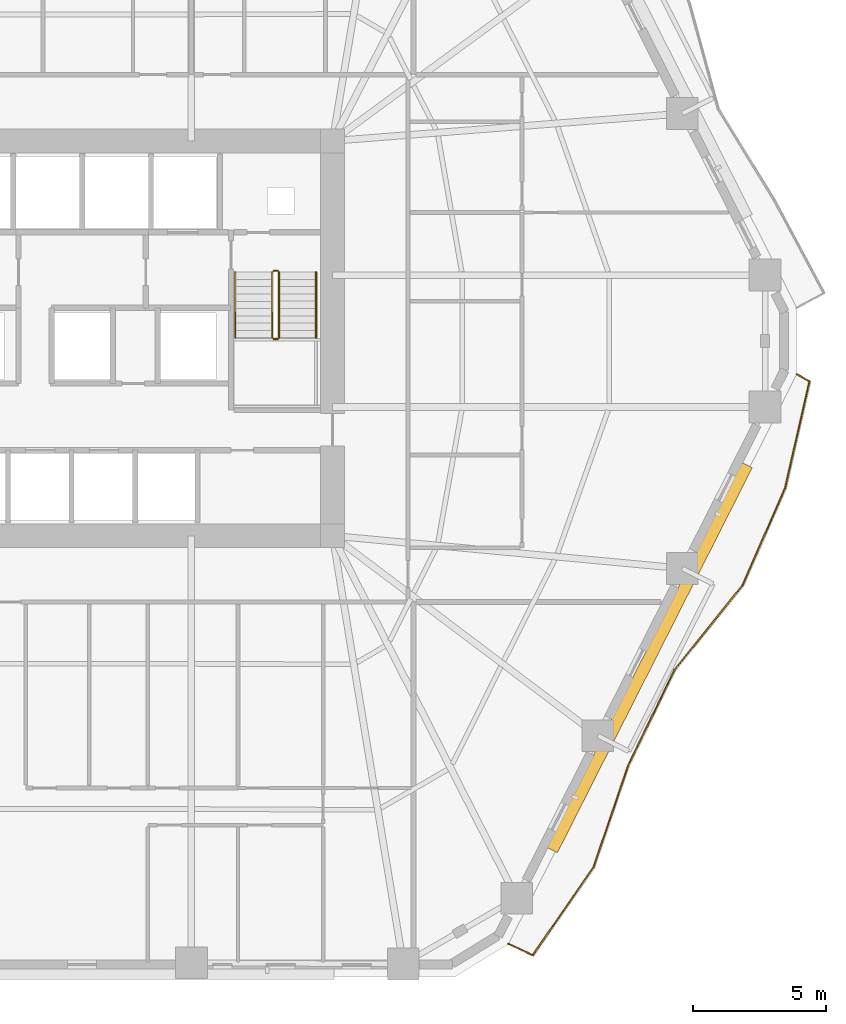
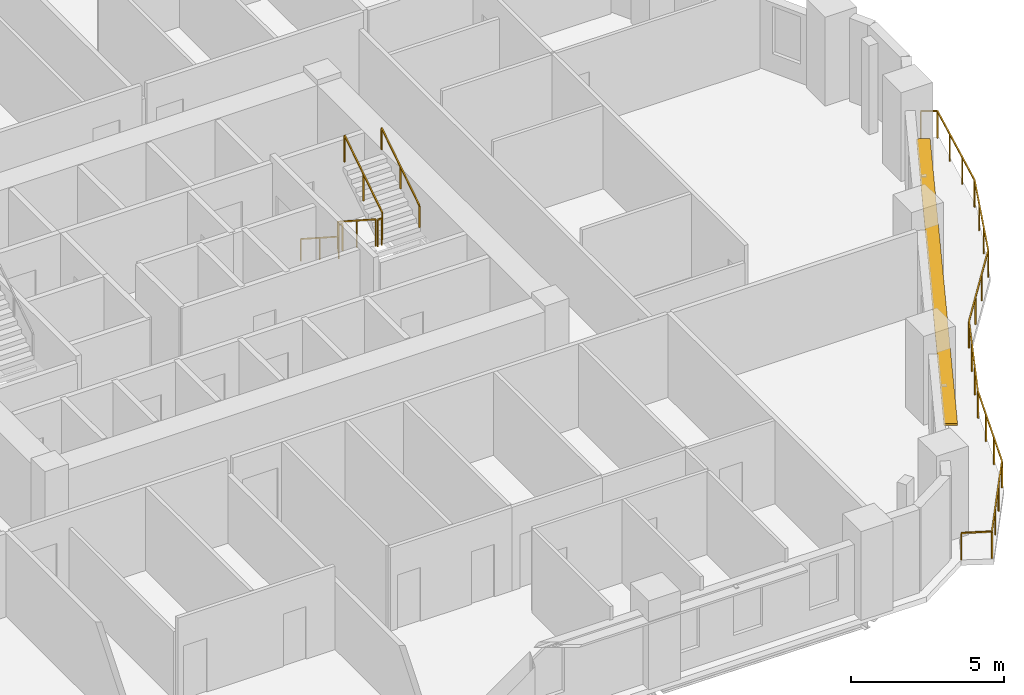
# One storey, part 13 of 14: 7 railings, 1 shading device.
"""IFC4 building model written with IfcOpenShell, lengths in metres."""

import ifcopenshell
import ifcopenshell.guid

model = None  # the IFC model being written
_history = None  # IfcOwnerHistory: only IFC2X3 demands one
_inside = {}  # id of a spatial element -> (the spatial element, [elements in it])
_under = {}  # id of a project, library or spatial element -> (it, [spatial elements below it])
_declared = {}  # id of a project -> (the project, [libraries it declares])
_typed = {}  # id of a type object -> (the type object, [elements of that type])
_made_of = {}  # id of a material, layer set ... -> (it, [elements and type objects made of it])


def new_model(schema):
    """Start an empty IFC model of exactly this schema.

    Asked for "IFC4X3", IfcOpenShell would pick the latest addendum, in which some entities
    have other attributes; the version numbers below select the first issue.
    IFC2X3 requires an IfcOwnerHistory on every rooted entity: one is made here for all.
    """
    global model, _history
    if schema == "IFC4X3":
        model = ifcopenshell.file(schema_version=(4, 3, 0, 0))
    else:
        model = ifcopenshell.file(schema=schema)
    _inside.clear()
    _under.clear()
    _declared.clear()
    _typed.clear()
    _made_of.clear()
    _history = None
    if model.schema == "IFC2X3":
        org = make("IfcOrganization", Name="unknown")
        user = make(
            "IfcPersonAndOrganization",
            ThePerson=make("IfcPerson", FamilyName="unknown"),
            TheOrganization=org,
        )
        app = make(
            "IfcApplication",
            ApplicationDeveloper=org,
            Version="unknown",
            ApplicationFullName="unknown",
            ApplicationIdentifier="unknown",
        )
        _history = make(
            "IfcOwnerHistory",
            OwningUser=user,
            OwningApplication=app,
            ChangeAction="ADDED",
            CreationDate=0,
        )
    return model


def make(cls, **values):
    """One entity of the class cls with the attributes given. An attribute that is None is left unset."""
    return model.create_entity(
        cls, **{name: value for name, value in values.items() if value is not None}
    )


def rooted(cls, **values):
    """An entity with a GlobalId (a new one), such as an element, a storey or a relation."""
    return make(cls, GlobalId=ifcopenshell.guid.new(), OwnerHistory=_history, **values)


def si_unit(unit_type, name, prefix=None):
    """IfcSIUnit, for example si_unit("LENGTHUNIT", "METRE", prefix="MILLI")."""
    return make("IfcSIUnit", UnitType=unit_type, Prefix=prefix, Name=name)


def assignment(units):
    """IfcUnitAssignment: the units of a project."""
    return None if units is None else make("IfcUnitAssignment", Units=units)


def point(xyz):
    """IfcCartesianPoint."""
    return None if xyz is None else make("IfcCartesianPoint", Coordinates=xyz)


def direction(xyz):
    """IfcDirection."""
    return None if xyz is None else make("IfcDirection", DirectionRatios=xyz)


def frame(location, z_axis=None, x_axis=None):
    """IfcAxis2Placement3D, a coordinate frame: its origin and axes. An axis left out is left unset."""
    return make(
        "IfcAxis2Placement3D",
        Location=point(location),
        Axis=direction(z_axis),
        RefDirection=direction(x_axis),
    )


def frame_2d(location, x_axis=None):
    """IfcAxis2Placement2D, a coordinate frame in the plane: its origin and x axis."""
    return make(
        "IfcAxis2Placement2D", Location=point(location), RefDirection=direction(x_axis)
    )


def origin():
    """The frame at (0, 0, 0) with its axes left unset."""
    return frame((0.0, 0.0, 0.0))


def origin_2d():
    """The frame at (0, 0) in the plane with its x axis left unset."""
    return frame_2d((0.0, 0.0))


def place(relative_to, where):
    """IfcLocalPlacement: puts the frame where relative to a parent placement (None: the world)."""
    return make(
        "IfcLocalPlacement", PlacementRelTo=relative_to, RelativePlacement=where
    )


def context(
    kind, dimensions, precision=None, world=None, true_north=None, identifier=None
):
    """IfcGeometricRepresentationContext, for example the 3D "Model" context."""
    return make(
        "IfcGeometricRepresentationContext",
        ContextIdentifier=identifier,
        ContextType=kind,
        CoordinateSpaceDimension=dimensions,
        Precision=precision,
        WorldCoordinateSystem=world,
        TrueNorth=true_north,
    )


def subcontext(parent, identifier, kind, view, scale=None):
    """IfcGeometricRepresentationSubContext, for example "Body" below "Model"."""
    return make(
        "IfcGeometricRepresentationSubContext",
        ContextIdentifier=identifier,
        ContextType=kind,
        ParentContext=parent,
        TargetScale=scale,
        TargetView=view,
    )


def project(units=None, contexts=None):
    """IfcProject with its units and contexts."""
    return rooted(
        "IfcProject",
        Name="project",
        RepresentationContexts=contexts,
        UnitsInContext=assignment(units),
    )


def spatial(cls, under=None, at=None, **own):
    """A site, building, storey or space (cls), placed at a placement, below another one or the project."""
    s = rooted(cls, ObjectPlacement=at, **own)
    if under is not None:
        _under.setdefault(under.id(), (under, []))[1].append(s)
    return s


def profile(cls, at=None, kind="AREA", **sizes):
    """A parametric profile (cls). Its sizes go by their IFC names, for example OverallWidth=200.0."""
    return make(cls, ProfileType=kind, Position=at, **sizes)


def rectangle(**sizes):
    """IfcRectangleProfileDef."""
    return profile("IfcRectangleProfileDef", **sizes)


def extrude(swept, where, along, depth):
    """IfcExtrudedAreaSolid: the profile swept, set in the frame where, extruded along a direction by depth."""
    return make(
        "IfcExtrudedAreaSolid",
        SweptArea=swept,
        Position=where,
        ExtrudedDirection=direction(along),
        Depth=depth,
    )


def shape(context_of_items, identifier, shape_type, items):
    """IfcShapeRepresentation: the items that make up one representation, for example the "Body"."""
    return make(
        "IfcShapeRepresentation",
        ContextOfItems=context_of_items,
        RepresentationIdentifier=identifier,
        RepresentationType=shape_type,
        Items=items,
    )


def material(Name=None, Category=None):
    """IfcMaterial."""
    return make("IfcMaterial", Name=Name, Category=Category)


def layer(
    of_material, thickness, ventilated=None, Name=None, Category=None, Priority=None
):
    """IfcMaterialLayer: one layer of a wall or slab, of a material (None: an air gap)."""
    return make(
        "IfcMaterialLayer",
        Material=of_material,
        LayerThickness=thickness,
        IsVentilated=ventilated,
        Name=Name,
        Category=Category,
        Priority=Priority,
    )


def layer_set(layers, Name=None):
    """IfcMaterialLayerSet."""
    return make("IfcMaterialLayerSet", MaterialLayers=layers, LayerSetName=Name)


def made_of(thing, what):
    """Note that an element or type object is made of a material, layer set ...; save() writes the relation."""
    if what is not None:
        _made_of.setdefault(what.id(), (what, []))[1].append(thing)
    return thing


def type_object(cls, material=None, **own):
    """A type object (cls), such as IfcWallType, which elements share."""
    return made_of(rooted(cls, **own), material)


def element(
    cls,
    number,
    at=None,
    inside=None,
    cuts=None,
    type_object=None,
    material=None,
    context=None,
    identifier="Body",
    shape_type=None,
    held_by="IfcProductDefinitionShape",
    body=None,
    shapes=None,
    **own,
):
    """One element of the class cls, such as IfcWall. Its Tag is "e" and its number.

    at: its placement. inside: the storey or other place that contains it. cuts: it is an
    opening in that element (IfcRelVoidsElement). A single representation is given by context,
    identifier, shape_type and body (its items); several are given by shapes. held_by: the class
    of the entity that holds the representations. save() writes the other relations.
    """
    e = rooted(cls, Tag="e%d" % number, ObjectPlacement=at, **own)
    if body is not None:
        shapes = [shape(context, identifier, shape_type, body)]
    if shapes is not None:
        e.Representation = make(held_by, Representations=shapes)
    if inside is not None:
        _inside.setdefault(inside.id(), (inside, []))[1].append(e)
    if cuts is not None:
        rooted(
            "IfcRelVoidsElement", RelatingBuildingElement=cuts, RelatedOpeningElement=e
        )
    if type_object is not None:
        _typed.setdefault(type_object.id(), (type_object, []))[1].append(e)
    return made_of(e, material)


def aggregate(whole, parts):
    """IfcRelAggregates: a whole, such as a stair, and the parts it consists of."""
    return rooted("IfcRelAggregates", RelatingObject=whole, RelatedObjects=parts)


def save(model, path):
    """Write the relations noted so far, then the file.

    IfcRelAggregates (storeys below a building ...), IfcRelContainedInSpatialStructure (elements
    in a storey), IfcRelDefinesByType, IfcRelAssociatesMaterial and IfcRelDeclares: one each for
    every whole, place, type object, material and project.
    """
    for whole, parts in _under.values():
        aggregate(whole, parts)
    for where, things in _inside.values():
        rooted(
            "IfcRelContainedInSpatialStructure",
            RelatedElements=things,
            RelatingStructure=where,
        )
    for kind, things in _typed.values():
        rooted("IfcRelDefinesByType", RelatedObjects=things, RelatingType=kind)
    for what, things in _made_of.values():
        rooted("IfcRelAssociatesMaterial", RelatedObjects=things, RelatingMaterial=what)
    for by, libraries in _declared.values():
        rooted("IfcRelDeclares", RelatingContext=by, RelatedDefinitions=libraries)
    model.write(path)


model = new_model("IFC4")

# Units and contexts
model_context = context("Model", 3, precision=1e-05, world=origin(), true_north=direction((0.0, 1.0)))
body_context = subcontext(model_context, "Body", "Model", "MODEL_VIEW")
ifc_project = project(units=[si_unit("LENGTHUNIT", "METRE"), si_unit("AREAUNIT", "SQUARE_METRE"), si_unit("VOLUMEUNIT", "CUBIC_METRE"), si_unit("PLANEANGLEUNIT", "RADIAN"), si_unit("MASSUNIT", "GRAM", prefix="KILO")], contexts=[model_context])

# Site, building, storey
site_placement = place(None, origin())
site = spatial("IfcSite", under=ifc_project, at=site_placement, CompositionType="ELEMENT")
building_placement = place(site_placement, origin())
building = spatial("IfcBuilding", under=site, at=building_placement, Name="Cinnabar Lancet Tower", CompositionType="ELEMENT")
storey_placement = place(building_placement, frame((0.0, 0.0, 35.550048828125)))
storey = spatial("IfcBuildingStorey", under=building, at=storey_placement, Name="L08", CompositionType="ELEMENT", Elevation=35.550048828125)

# Railing
ifc_material_1 = material(Name="Laminated safety glass and bronze stainless steel balustrade", Category="steel")
railing_type_1 = type_object("IfcRailingType", Name="ENV-RLG-BAL-1100", PredefinedType="BALUSTRADE", material=ifc_material_1)
railing_1_placement = place(storey_placement, frame((48.488037109375, 3.049072265625, 0.0)))
element("IfcRailing", 1, at=railing_1_placement, inside=storey, type_object=railing_type_1, Name="L08 Face 2 Wave Balcony Balustrade", PredefinedType="BALUSTRADE", context=body_context, shape_type="SweptSolid", body=[
    extrude(rectangle(XDim=0.048095703125, YDim=0.048095703125, at=origin_2d()), frame((0.0, 0.0, 1.076171875), z_axis=(0.905799045948, -0.423707550511, 0.0), x_axis=(0.423707550511, 0.905799045948, 0.0)), (0.0, 0.0, 1.0), 1.0078125),
    extrude(rectangle(XDim=0.048095703125, YDim=0.048095703125, at=origin_2d()), frame((0.912841796875, -0.427001953125, 1.076171875), z_axis=(0.568399927517, 0.822752406498, 0.0), x_axis=(-0.822752406498, 0.568399927517, 0.0)), (0.0, 0.0, 1.0), 4.044921875),
    extrude(rectangle(XDim=0.048095703125, YDim=0.048095703125, at=origin_2d()), frame((3.2119140625, 2.90087890625, 1.076171875), z_axis=(0.322212035134, 0.946667525805, 0.0), x_axis=(-0.946667525805, 0.322212035134, 0.0)), (0.0, 0.0, 1.0), 4.046875),
    extrude(rectangle(XDim=0.048095703125, YDim=0.048095703125, at=origin_2d()), frame((4.515869140625, 6.73193359375, 1.076171875), z_axis=(0.435818940454, 0.900034361089, 0.0), x_axis=(-0.900034361089, 0.435818940454, 0.0)), (0.0, 0.0, 1.0), 4.00634765625),
    extrude(rectangle(XDim=0.048095703125, YDim=0.048095703125, at=origin_2d()), frame((6.261962890625, 10.337890625, 1.076171875), z_axis=(0.626917614123, 0.779085556985, 0.0), x_axis=(-0.779085556985, 0.626917614123, 0.0)), (0.0, 0.0, 1.0), 4.094482421875),
    extrude(rectangle(XDim=0.048095703125, YDim=0.048095703125, at=origin_2d()), frame((8.828857421875, 13.52783203125, 1.076171875), z_axis=(0.401000749646, 0.916077725296, 0.0), x_axis=(-0.916077725296, 0.401000749646, 0.0)), (0.0, 0.0, 1.0), 4.0126953125),
    extrude(rectangle(XDim=0.048095703125, YDim=0.048095703125, at=origin_2d()), frame((10.43798828125, 17.203857421875, 1.076171875), z_axis=(0.222298222033, 0.974978717963, 0.0), x_axis=(-0.974978717963, 0.222298222033, 0.0)), (0.0, 0.0, 1.0), 4.12939453125),
    extrude(rectangle(XDim=0.048095703125, YDim=0.048095703125, at=origin_2d()), frame((11.35595703125, 21.22998046875, 1.076171875), z_axis=(-0.868297940642, 0.496043028654, 0.0), x_axis=(-0.496043028654, -0.868297940642, 0.0)), (0.0, 0.0, 1.0), 0.54833984375),
    extrude(rectangle(XDim=0.0419921875, YDim=0.0419921875, at=origin_2d()), origin(), (0.0, 0.0, 1.0), 1.052001953125),
    extrude(rectangle(XDim=0.0419921875, YDim=0.0419921875, at=origin_2d()), frame((0.912841796875, -0.427001953125, 0.0)), (0.0, 0.0, 1.0), 1.052001953125),
    extrude(rectangle(XDim=0.0419921875, YDim=0.0419921875, at=origin_2d()), frame((1.67919921875, 0.682373046875, 0.0)), (0.0, 0.0, 1.0), 1.052001953125),
    extrude(rectangle(XDim=0.0419921875, YDim=0.0419921875, at=origin_2d()), frame((2.445556640625, 1.79150390625, 0.0)), (0.0, 0.0, 1.0), 1.052001953125),
    extrude(rectangle(XDim=0.0419921875, YDim=0.0419921875, at=origin_2d()), frame((3.2119140625, 2.90087890625, 0.0)), (0.0, 0.0, 1.0), 1.052001953125),
    extrude(rectangle(XDim=0.0419921875, YDim=0.0419921875, at=origin_2d()), frame((3.646484375, 4.177978515625, 0.0)), (0.0, 0.0, 1.0), 1.052001953125),
    extrude(rectangle(XDim=0.0419921875, YDim=0.0419921875, at=origin_2d()), frame((4.081298828125, 5.454833984375, 0.0)), (0.0, 0.0, 1.0), 1.052001953125),
    extrude(rectangle(XDim=0.0419921875, YDim=0.0419921875, at=origin_2d()), frame((4.515869140625, 6.73193359375, 0.0)), (0.0, 0.0, 1.0), 1.052001953125),
    extrude(rectangle(XDim=0.0419921875, YDim=0.0419921875, at=origin_2d()), frame((5.097900390625, 7.933837890625, 0.0)), (0.0, 0.0, 1.0), 1.052001953125),
    extrude(rectangle(XDim=0.0419921875, YDim=0.0419921875, at=origin_2d()), frame((5.679931640625, 9.135986328125, 0.0)), (0.0, 0.0, 1.0), 1.052001953125),
    extrude(rectangle(XDim=0.0419921875, YDim=0.0419921875, at=origin_2d()), frame((6.261962890625, 10.337890625, 0.0)), (0.0, 0.0, 1.0), 1.052001953125),
    extrude(rectangle(XDim=0.0419921875, YDim=0.0419921875, at=origin_2d()), frame((7.11767578125, 11.401123046875, 0.0)), (0.0, 0.0, 1.0), 1.052001953125),
    extrude(rectangle(XDim=0.0419921875, YDim=0.0419921875, at=origin_2d()), frame((7.97314453125, 12.464599609375, 0.0)), (0.0, 0.0, 1.0), 1.052001953125),
    extrude(rectangle(XDim=0.0419921875, YDim=0.0419921875, at=origin_2d()), frame((8.828857421875, 13.52783203125, 0.0)), (0.0, 0.0, 1.0), 1.052001953125),
    extrude(rectangle(XDim=0.0419921875, YDim=0.0419921875, at=origin_2d()), frame((9.365234375, 14.753173828125, 0.0)), (0.0, 0.0, 1.0), 1.052001953125),
    extrude(rectangle(XDim=0.0419921875, YDim=0.0419921875, at=origin_2d()), frame((9.901611328125, 15.978515625, 0.0)), (0.0, 0.0, 1.0), 1.052001953125),
    extrude(rectangle(XDim=0.0419921875, YDim=0.0419921875, at=origin_2d()), frame((10.43798828125, 17.203857421875, 0.0)), (0.0, 0.0, 1.0), 1.052001953125),
    extrude(rectangle(XDim=0.0419921875, YDim=0.0419921875, at=origin_2d()), frame((10.743896484375, 18.5458984375, 0.0)), (0.0, 0.0, 1.0), 1.052001953125),
    extrude(rectangle(XDim=0.0419921875, YDim=0.0419921875, at=origin_2d()), frame((11.050048828125, 19.887939453125, 0.0)), (0.0, 0.0, 1.0), 1.052001953125),
    extrude(rectangle(XDim=0.0419921875, YDim=0.0419921875, at=origin_2d()), frame((11.35595703125, 21.22998046875, 0.0)), (0.0, 0.0, 1.0), 1.052001953125),
    extrude(rectangle(XDim=0.0419921875, YDim=0.0419921875, at=origin_2d()), frame((10.8798828125, 21.501953125, 0.0)), (0.0, 0.0, 1.0), 1.052001953125),
])

# Shading device
ifc_material_2 = material(Name="Pale limestone architectural aluminium sunshade", Category="masonry")
ifc_layer = layer(ifc_material_2, 0.080078125)
ifc_layer_set = layer_set([ifc_layer], Name="Pale limestone architectural aluminium sunshade")
shading_device_type = type_object("IfcShadingDeviceType", Name="ENV-SHD-LVR-450", PredefinedType="JALOUSIE", material=ifc_layer_set)
shading_device_placement = place(storey_placement, frame((53.81005859375, 13.85595703125, 2.639892578125), z_axis=(0.0, 0.0, 1.0), x_axis=(0.451500573218, 0.892270829056, 0.0)))
element("IfcShadingDevice", 2, at=shading_device_placement, inside=storey, type_object=shading_device_type, Name="L08 Face 2 Horizontal Sunshade Canopy", PredefinedType="JALOUSIE", context=body_context, shape_type="SweptSolid", body=[
    extrude(rectangle(XDim=16.279052734375, YDim=0.449951171875, at=origin_2d()), origin(), (0.0, 0.0, 1.0), 0.080078125),
])

# Railings
ifc_material_3 = material(Name="Painted galvanized steel balustrade", Category="steel")
railing_type_2 = type_object("IfcRailingType", Name="GUARD-STAIR", PredefinedType="GUARDRAIL", material=ifc_material_3)
railing_2_placement = place(storey_placement, frame((39.574951171875, 28.39990234375, 0.177490234375)))
element("IfcRailing", 3, at=railing_2_placement, inside=storey, type_object=railing_type_2, Name="L08 ST-2 stair guard 1", PredefinedType="GUARDRAIL", context=body_context, shape_type="SweptSolid", body=[
    extrude(rectangle(XDim=0.048095703125, YDim=0.048095703125, at=origin_2d()), frame((0.0, 0.0, 1.076171875), z_axis=(0.0, -0.840183358697, 0.542302428327), x_axis=(1.0, 0.0, 0.0)), (0.0, 0.0, 1.0), 2.945556640625),
    extrude(rectangle(XDim=0.0419921875, YDim=0.0419921875, at=origin_2d()), origin(), (0.0, 0.0, 1.0), 1.052001953125),
    extrude(rectangle(XDim=0.0419921875, YDim=0.0419921875, at=origin_2d()), frame((0.0, -1.2373046875, 0.798828125)), (0.0, 0.0, 1.0), 1.052001953125),
    extrude(rectangle(XDim=0.0419921875, YDim=0.0419921875, at=origin_2d()), frame((0.0, -2.474853515625, 1.597412109375)), (0.0, 0.0, 1.0), 1.052001953125),
])
railing_3_placement = place(storey_placement, frame((39.625, 25.875, 1.77490234375)))
element("IfcRailing", 4, at=railing_3_placement, inside=storey, type_object=railing_type_2, Name="L08 ST-2 stair guard 2", PredefinedType="GUARDRAIL", context=body_context, shape_type="SweptSolid", body=[
    extrude(rectangle(XDim=0.048095703125, YDim=0.048095703125, at=origin_2d()), frame((0.0, 0.0, 1.076171875), z_axis=(1.0, 0.0, 0.0), x_axis=(0.0, 1.0, 0.0)), (0.0, 0.0, 1.0), 0.14990234375),
    extrude(rectangle(XDim=0.0419921875, YDim=0.0419921875, at=origin_2d()), origin(), (0.0, 0.0, 1.0), 1.052001953125),
    extrude(rectangle(XDim=0.0419921875, YDim=0.0419921875, at=origin_2d()), frame((0.14990234375, 0.0, 0.0)), (0.0, 0.0, 1.0), 1.052001953125),
])
railing_4_placement = place(storey_placement, frame((39.824951171875, 25.925048828125, 1.952392578125)))
element("IfcRailing", 5, at=railing_4_placement, inside=storey, type_object=railing_type_2, Name="L08 ST-2 stair guard 3", PredefinedType="GUARDRAIL", context=body_context, shape_type="SweptSolid", body=[
    extrude(rectangle(XDim=0.048095703125, YDim=0.048095703125, at=origin_2d()), frame((0.0, 0.0, 1.076171875), z_axis=(0.0, 0.84014559416, 0.542360932049), x_axis=(-1.0, 0.0, 0.0)), (0.0, 0.0, 1.0), 2.94580078125),
    extrude(rectangle(XDim=0.0419921875, YDim=0.0419921875, at=origin_2d()), origin(), (0.0, 0.0, 1.0), 1.052001953125),
    extrude(rectangle(XDim=0.0419921875, YDim=0.0419921875, at=origin_2d()), frame((0.0, 1.2373046875, 0.798828125)), (0.0, 0.0, 1.0), 1.052001953125),
    extrude(rectangle(XDim=0.0419921875, YDim=0.0419921875, at=origin_2d()), frame((0.0, 2.474853515625, 1.59765625)), (0.0, 0.0, 1.0), 1.052001953125),
])
railing_5_placement = place(storey_placement, frame((39.625, 28.449951171875, 0.0)))
element("IfcRailing", 6, at=railing_5_placement, inside=storey, type_object=railing_type_2, Name="L08 ST-2 stair guard 4", PredefinedType="GUARDRAIL", context=body_context, shape_type="SweptSolid", body=[
    extrude(rectangle(XDim=0.048095703125, YDim=0.048095703125, at=origin_2d()), frame((0.0, 0.0, 1.076171875), z_axis=(1.0, 0.0, 0.0), x_axis=(0.0, 1.0, 0.0)), (0.0, 0.0, 1.0), 0.14990234375),
    extrude(rectangle(XDim=0.0419921875, YDim=0.0419921875, at=origin_2d()), origin(), (0.0, 0.0, 1.0), 1.052001953125),
    extrude(rectangle(XDim=0.0419921875, YDim=0.0419921875, at=origin_2d()), frame((0.14990234375, 0.0, 0.0)), (0.0, 0.0, 1.0), 1.052001953125),
])
ifc_material_4 = material(Name="Brushed stainless steel handrail", Category="steel")
railing_type_3 = type_object("IfcRailingType", Name="HANDRAIL-STAIR", PredefinedType="HANDRAIL", material=ifc_material_4)
railing_6_placement = place(storey_placement, frame((38.175048828125, 28.39990234375, 0.177490234375)))
element("IfcRailing", 7, at=railing_6_placement, inside=storey, type_object=railing_type_3, Name="L08 ST-2 stair handrail 1", PredefinedType="HANDRAIL", context=body_context, shape_type="SweptSolid", body=[
    extrude(rectangle(XDim=0.048095703125, YDim=0.048095703125, at=origin_2d()), frame((0.0, 0.0, 0.8759765625), z_axis=(0.0, -0.840183358697, 0.542302428327), x_axis=(1.0, 0.0, 0.0)), (0.0, 0.0, 1.0), 2.945556640625),
    extrude(rectangle(XDim=0.0419921875, YDim=0.0419921875, at=origin_2d()), origin(), (0.0, 0.0, 1.0), 0.851806640625),
    extrude(rectangle(XDim=0.0419921875, YDim=0.0419921875, at=origin_2d()), frame((0.0, -1.2373046875, 0.798828125)), (0.0, 0.0, 1.0), 0.851806640625),
    extrude(rectangle(XDim=0.0419921875, YDim=0.0419921875, at=origin_2d()), frame((0.0, -2.474853515625, 1.597412109375)), (0.0, 0.0, 1.0), 0.851806640625),
])
railing_7_placement = place(storey_placement, frame((41.22509765625, 25.925048828125, 1.952392578125)))
element("IfcRailing", 8, at=railing_7_placement, inside=storey, type_object=railing_type_3, Name="L08 ST-2 stair handrail 2", PredefinedType="HANDRAIL", context=body_context, shape_type="SweptSolid", body=[
    extrude(rectangle(XDim=0.048095703125, YDim=0.048095703125, at=origin_2d()), frame((0.0, 0.0, 0.8759765625), z_axis=(0.0, 0.84014559416, 0.542360932049), x_axis=(-1.0, 0.0, 0.0)), (0.0, 0.0, 1.0), 2.94580078125),
    extrude(rectangle(XDim=0.0419921875, YDim=0.0419921875, at=origin_2d()), origin(), (0.0, 0.0, 1.0), 0.851806640625),
    extrude(rectangle(XDim=0.0419921875, YDim=0.0419921875, at=origin_2d()), frame((0.0, 1.2373046875, 0.798828125)), (0.0, 0.0, 1.0), 0.851806640625),
    extrude(rectangle(XDim=0.0419921875, YDim=0.0419921875, at=origin_2d()), frame((0.0, 2.474853515625, 1.59765625)), (0.0, 0.0, 1.0), 0.851806640625),
])

save(model, "model.ifc")
